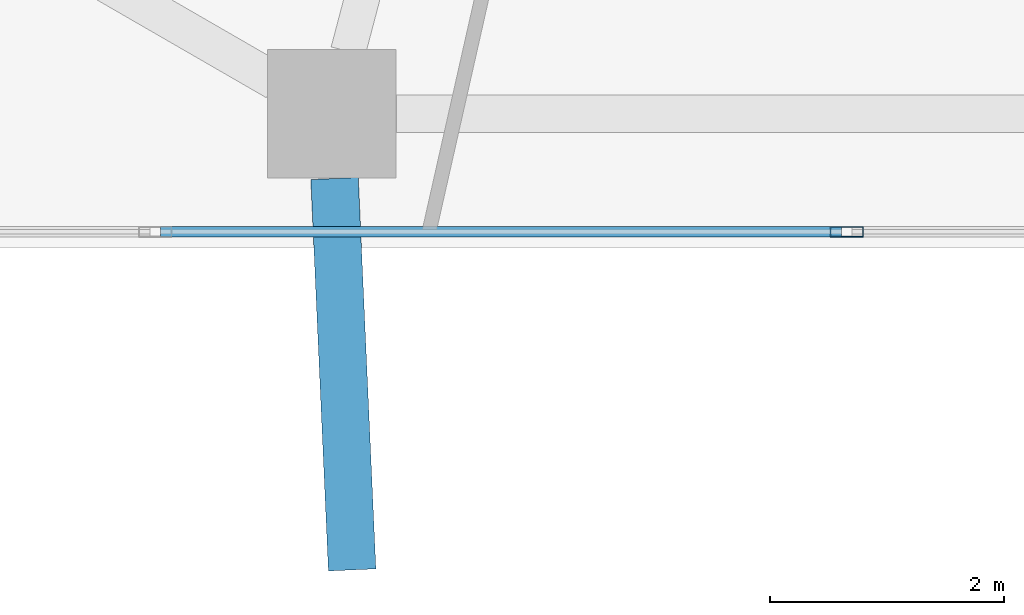
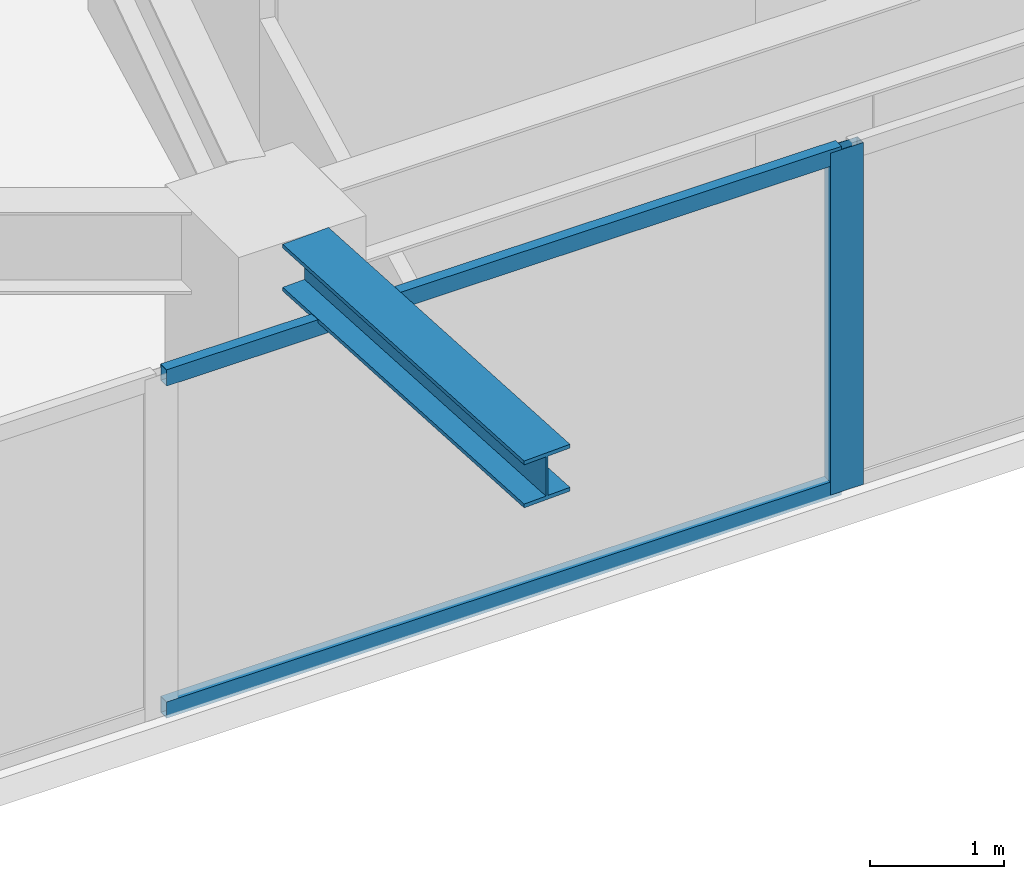
# One storey, part 3 of 32: 3 members, 1 beam, 1 element without a shape of its own.
"""IFC4 building model written with IfcOpenShell, lengths in metres."""

from ifc_helpers import new_model, si_unit, direction, frame, origin, origin_2d, place, context, subcontext, project, spatial, hollow_rectangle, i_section, extrude, material, material_profile, profile_set, type_object, element, aggregate, save


model = new_model("IFC4")

# Units and contexts
model_context = context("Model", 3, precision=1e-05, world=origin(), true_north=direction((0.0, 1.0)))
body_context = subcontext(model_context, "Body", "Model", "MODEL_VIEW")
ifc_project = project(units=[si_unit("LENGTHUNIT", "METRE"), si_unit("AREAUNIT", "SQUARE_METRE"), si_unit("VOLUMEUNIT", "CUBIC_METRE"), si_unit("PLANEANGLEUNIT", "RADIAN"), si_unit("MASSUNIT", "GRAM", prefix="KILO")], contexts=[model_context])

# Site, building, storey
site_placement = place(None, origin())
site = spatial("IfcSite", under=ifc_project, at=site_placement, CompositionType="ELEMENT")
building_placement = place(site_placement, origin())
building = spatial("IfcBuilding", under=site, at=building_placement, Name="Zuhravey Tower", CompositionType="ELEMENT")
storey_placement = place(building_placement, frame((0.0, 0.0, 111.39990234375)))
storey = spatial("IfcBuildingStorey", under=building, at=storey_placement, Name="L27", CompositionType="ELEMENT", Elevation=111.39990234375)

# Curtain wall, members
ifc_material_1 = material(Name="Thermally broken anodised aluminium", Category="aluminium")
curtain_wall_type = type_object("IfcCurtainWallType", Name="Zone 1-2 Residential Curtain Wall CW3", PredefinedType="NOTDEFINED", material=ifc_material_1)
curtain_wall_placement = place(storey_placement, origin())
curtain_wall = element("IfcCurtainWall", 1, at=curtain_wall_placement, inside=storey, type_object=curtain_wall_type, Name="L27 CW3 CW-L27-F5-1", PredefinedType="NOTDEFINED")
ifc_material_2 = material(Name="Anodised aluminium", Category="aluminium")
ifc_material_profile_1 = material_profile(ifc_material_2, hollow_rectangle(XDim=0.090087890625, YDim=0.284912109375, WallThickness=0.0048828125, at=origin_2d()), Name="ALU-RHS-90x285x5")
ifc_profile_set_1 = profile_set([ifc_material_profile_1], Name="Anodised aluminium")
member_type_1 = type_object("IfcMemberType", Name="Curtain-Wall Mullion 90x180", PredefinedType="MULLION", material=ifc_profile_set_1)
member_1_placement = place(storey_placement, frame((33.0400390625, 3.04150390625, 0.0), z_axis=(0.0, 0.0, 1.0), x_axis=(0.0, -1.0, 0.0)))
member_1 = element("IfcMember", 2, at=member_1_placement, type_object=member_type_1, Name="CW3 mullion 4", PredefinedType="MULLION", context=body_context, shape_type="SweptSolid", body=[
    extrude(hollow_rectangle(XDim=0.090087890625, YDim=0.284912109375, WallThickness=0.0048828125, at=origin_2d()), origin(), (0.0, 0.0, 1.0), 3.1220703125),
])
ifc_material_profile_2 = material_profile(ifc_material_2, hollow_rectangle(XDim=0.090087890625, YDim=0.14990234375, WallThickness=0.0048828125, at=origin_2d()), Name="ALU-RHS-90x150x5")
ifc_profile_set_2 = profile_set([ifc_material_profile_2], Name="Anodised aluminium")
member_type_2 = type_object("IfcMemberType", Name="Curtain-Wall Transom 90x150", PredefinedType="USERDEFINED", material=ifc_profile_set_2)
member_2_placement = place(storey_placement, frame((32.9951171875, 3.04150390625, 0.045166015625), z_axis=(-1.0, 0.0, 0.0), x_axis=(0.0, -1.0, 0.0)))
member_2 = element("IfcMember", 3, at=member_2_placement, type_object=member_type_2, Name="CW3 transom 4.1", ObjectType="TRANSOM", PredefinedType="USERDEFINED", context=body_context, shape_type="SweptSolid", body=[
    extrude(hollow_rectangle(XDim=0.090087890625, YDim=0.14990234375, WallThickness=0.0048828125, at=origin_2d()), origin(), (0.0, 0.0, 1.0), 5.829833984375),
])
member_3_placement = place(storey_placement, frame((32.9951171875, 3.04150390625, 3.0771484375), z_axis=(-1.0, 0.0, 0.0), x_axis=(0.0, -1.0, 0.0)))
member_3 = element("IfcMember", 4, at=member_3_placement, type_object=member_type_2, Name="CW3 transom 4.2", ObjectType="TRANSOM", PredefinedType="USERDEFINED", context=body_context, shape_type="SweptSolid", body=[
    extrude(hollow_rectangle(XDim=0.090087890625, YDim=0.14990234375, WallThickness=0.0048828125, at=origin_2d()), origin(), (0.0, 0.0, 1.0), 5.829833984375),
])
aggregate(curtain_wall, [member_1, member_2, member_3])

# Beam
ifc_material_3 = material(Name="Steel SM460", Category="steel")
ifc_material_profile_3 = material_profile(ifc_material_3, i_section(OverallWidth=0.406982421875, OverallDepth=0.427978515625, WebThickness=0.02001953125, FlangeThickness=0.034912109375, at=origin_2d()), Name="H-428x407x20x35")
ifc_profile_set_3 = profile_set([ifc_material_profile_3], Name="Steel SM460")
beam_type = type_object("IfcBeamType", Name="Exoskeleton Node Tie Beam H428x407", PredefinedType="BEAM", material=ifc_profile_set_3)
beam_placement = place(storey_placement, frame((28.65478515625, 3.49755859375, 3.336181640625), z_axis=(0.044905841842, -0.99899122387, 0.0), x_axis=(0.99899122387, 0.044905841842, 0.0)))
element("IfcBeam", 5, at=beam_placement, inside=storey, type_object=beam_type, Name="L27 Exoskeleton Node Tie NT1-09", PredefinedType="BEAM", context=body_context, shape_type="SweptSolid", body=[
    extrude(i_section(OverallWidth=0.406982421875, OverallDepth=0.427978515625, WebThickness=0.02001953125, FlangeThickness=0.034912109375, at=origin_2d()), origin(), (0.0, 0.0, 1.0), 3.3544921875),
])

save(model, "model.ifc")
